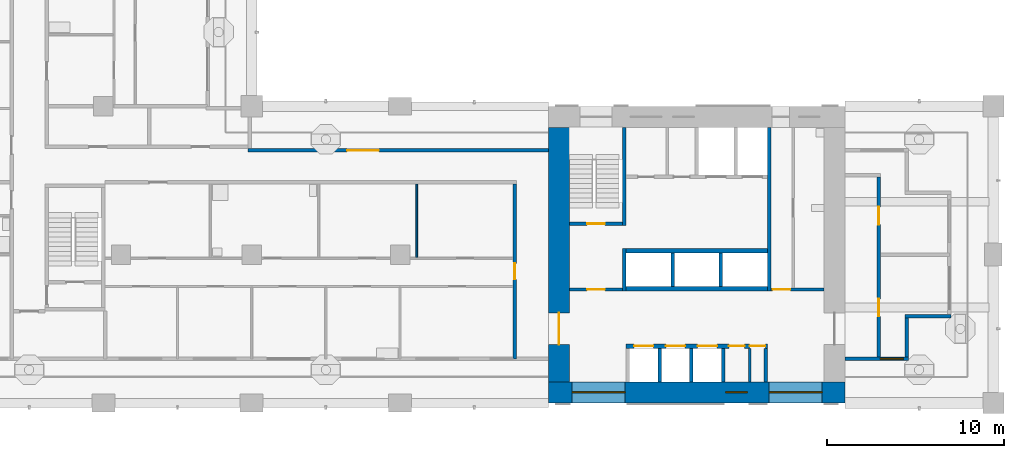
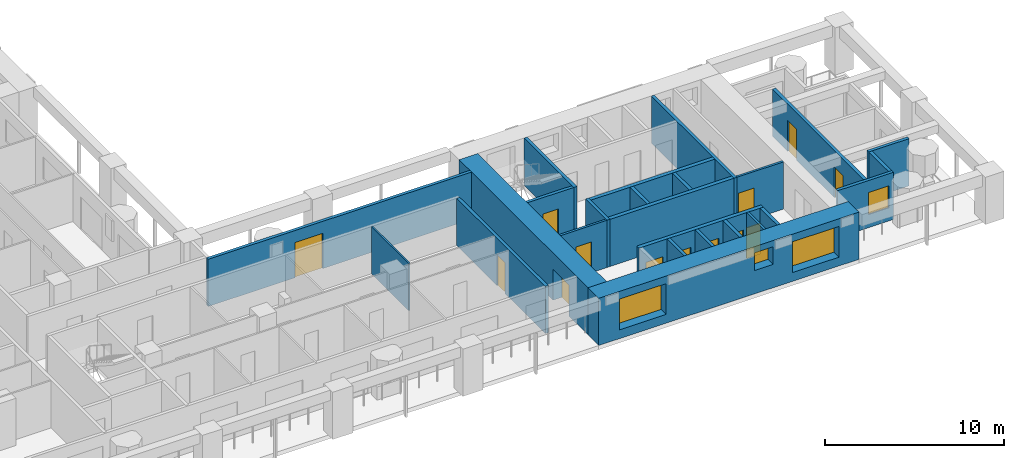
# One storey, part 5 of 18: 25 walls, 13 doors, 4 windows, 17 openings.
"""IFC4 building model written with IfcOpenShell, lengths in metres."""

from ifc_helpers import new_model, si_unit, direction, frame, frame_2d, origin, place, context, subcontext, project, spatial, rectangle, extrude, material, layer, layer_set, type_object, element, fill, save


model = new_model("IFC4")

# Units and contexts
model_context = context("Model", 3, precision=1e-05, world=origin(), true_north=direction((0.0, 1.0)))
body_context = subcontext(model_context, "Body", "Model", "MODEL_VIEW")
ifc_project = project(units=[si_unit("LENGTHUNIT", "METRE"), si_unit("AREAUNIT", "SQUARE_METRE"), si_unit("VOLUMEUNIT", "CUBIC_METRE"), si_unit("PLANEANGLEUNIT", "RADIAN"), si_unit("MASSUNIT", "GRAM", prefix="KILO")], contexts=[model_context])

# Site, building, storey
site_placement = place(None, origin())
site = spatial("IfcSite", under=ifc_project, at=site_placement, CompositionType="ELEMENT")
building_placement = place(site_placement, origin())
building = spatial("IfcBuilding", under=site, at=building_placement, Name="Vermilion Gate Residences", CompositionType="ELEMENT")
storey_placement = place(building_placement, frame((0.0, 0.0, 109.199951171875)))
storey = spatial("IfcBuildingStorey", under=building, at=storey_placement, Name="L27", CompositionType="ELEMENT", Elevation=109.199951171875)

# Wall
ifc_material_1 = material(Name="Masonry blockwork", Category="masonry")
ifc_layer_1 = layer(ifc_material_1, 0.14990234375)
ifc_layer_set_1 = layer_set([ifc_layer_1], Name="BLOCKWORK PARTITION 150 EI 120")
wall_type_1 = type_object("IfcWallType", Name="BLOCKWORK PARTITION 150 EI 120", PredefinedType="PARTITIONING", material=ifc_layer_set_1)
wall_1_placement = place(storey_placement, frame((53.407470703125, 9.60009765625, 0.0), z_axis=(0.0, 0.0, 1.0), x_axis=(0.0, 1.0, 0.0)))
element("IfcWall", 1, at=wall_1_placement, inside=storey, type_object=wall_type_1, Name="Core room partition A27-SR-P0", PredefinedType="PARTITIONING", context=body_context, shape_type="SweptSolid", body=[
    extrude(rectangle(XDim=1.89990234375, YDim=0.14990234375, at=frame_2d((0.949951171875, 0.0))), origin(), (0.0, 0.0, 1.0), 3.219970703125),
])

# Wall, opening, door
wall_2_placement = place(storey_placement, frame((43.199951171875, 14.824951171875, 0.0), z_axis=(0.0, 0.0, 1.0), x_axis=(1.0, 0.0, 0.0)))
wall_2 = element("IfcWall", 2, at=wall_2_placement, inside=storey, type_object=wall_type_1, Name="Core room partition A27-VW-S", PredefinedType="PARTITIONING", context=body_context, shape_type="SweptSolid", body=[
    extrude(rectangle(XDim=3.0, YDim=0.14990234375, at=frame_2d((1.5, 0.0))), origin(), (0.0, 0.0, 1.0), 3.219970703125),
])
opening_1_placement = place(wall_2_placement, frame((1.0, 0.0, 0.0)))
opening_1 = element("IfcOpeningElement", 3, at=opening_1_placement, cuts=wall_2, Name="Opening DK27012", PredefinedType="OPENING", context=body_context, shape_type="SweptSolid", body=[
    extrude(rectangle(XDim=1.0, YDim=2.10009765625, at=frame_2d((0.5, 1.050048828125))), frame((0.0, 0.0849609375, 0.0), z_axis=(0.0, -1.0, 0.0), x_axis=(1.0, 0.0, 0.0)), (0.0, 0.0, 1.0), 0.169921875),
])
ifc_material_2 = material(Name="Steel", Category="steel")
door_type_1 = type_object("IfcDoorType", Name="FIRE DOOR FD60 1000 X 2100", OperationType="SINGLE_SWING_LEFT", PredefinedType="DOOR", material=ifc_material_2)
door_1_placement = place(opening_1_placement, frame((1.0, 0.0, 0.0), z_axis=(0.0, 0.0, 1.0), x_axis=(-1.0, 0.0, 0.0)))
door_1 = element("IfcDoor", 4, at=door_1_placement, inside=storey, type_object=door_type_1, Name="Stair vestibule door A27", OperationType="SINGLE_SWING_RIGHT", OverallHeight=2.10009765625, OverallWidth=1.0, PredefinedType="DOOR", context=body_context, shape_type="SweptSolid", body=[
    extrude(rectangle(XDim=1.0, YDim=2.10009765625, at=frame_2d((0.5, 1.050048828125))), frame((0.0, 0.02490234375, 0.0), z_axis=(0.0, -1.0, 0.0), x_axis=(1.0, 0.0, 0.0)), (0.0, 0.0, 1.0), 0.050048828125),
])
fill(opening_1, door_1)

wall_3_placement = place(storey_placement, frame((54.60009765625, 14.824951171875, 0.0), z_axis=(0.0, 0.0, 1.0), x_axis=(1.0, 0.0, 0.0)))
wall_3 = element("IfcWall", 5, at=wall_3_placement, inside=storey, type_object=wall_type_1, Name="Core room partition A27-ES-S", PredefinedType="PARTITIONING", context=body_context, shape_type="SweptSolid", body=[
    extrude(rectangle(XDim=3.0, YDim=0.14990234375, at=frame_2d((1.5, 0.0))), origin(), (0.0, 0.0, 1.0), 3.219970703125),
])
opening_2_placement = place(wall_3_placement, frame((0.10009765625, 0.0, 0.0)))
opening_2 = element("IfcOpeningElement", 6, at=opening_2_placement, cuts=wall_3, Name="Opening DK27014", PredefinedType="OPENING", context=body_context, shape_type="SweptSolid", body=[
    extrude(rectangle(XDim=1.0, YDim=2.10009765625, at=frame_2d((0.5, 1.050048828125))), frame((0.0, 0.0849609375, 0.0), z_axis=(0.0, -1.0, 0.0), x_axis=(1.0, 0.0, 0.0)), (0.0, 0.0, 1.0), 0.169921875),
])
door_2_placement = place(opening_2_placement, frame((1.0, 0.0, 0.0), z_axis=(0.0, 0.0, 1.0), x_axis=(-1.0, 0.0, 0.0)))
door_2 = element("IfcDoor", 7, at=door_2_placement, inside=storey, type_object=door_type_1, Name="Service corridor door A27", OperationType="SINGLE_SWING_LEFT", OverallHeight=2.10009765625, OverallWidth=1.0, PredefinedType="DOOR", context=body_context, shape_type="SweptSolid", body=[
    extrude(rectangle(XDim=1.0, YDim=2.10009765625, at=frame_2d((0.5, 1.050048828125))), frame((0.0, 0.02490234375, 0.0), z_axis=(0.0, -1.0, 0.0), x_axis=(1.0, 0.0, 0.0)), (0.0, 0.0, 1.0), 0.050048828125),
])
fill(opening_2, door_2)

# Wall, opening, window
ifc_material_3 = material(Name="Insulated steel stud wall with terracotta rainscreen", Category="masonry")
ifc_layer_2 = layer(ifc_material_3, 0.199951171875)
ifc_layer_set_2 = layer_set([ifc_layer_2], Name="EXTERNAL WALL 200 TERRACOTTA RAINSCREEN")
wall_type_2 = type_object("IfcWallType", Name="EXTERNAL WALL 200 TERRACOTTA RAINSCREEN", PredefinedType="SOLIDWALL", material=ifc_layer_set_2)
wall_4_placement = place(storey_placement, frame((58.800048828125, 10.89990234375, 0.0), z_axis=(0.0, 0.0, 1.0), x_axis=(1.0, 0.0, 0.0)))
wall_4 = element("IfcWall", 8, at=wall_4_placement, inside=storey, type_object=wall_type_2, Name="External wall", PredefinedType="SOLIDWALL", context=body_context, shape_type="SweptSolid", body=[
    extrude(rectangle(XDim=3.599853515625, YDim=0.199951171875, at=frame_2d((1.7998046875, 0.0))), origin(), (0.0, 0.0, 1.0), 3.219970703125),
])
opening_3_placement = place(wall_4_placement, frame((2.0, 0.0, 0.89990234375)))
opening_3 = element("IfcOpeningElement", 9, at=opening_3_placement, cuts=wall_4, Name="Opening WE27020", PredefinedType="OPENING", context=body_context, shape_type="SweptSolid", body=[
    extrude(rectangle(XDim=1.300048828125, YDim=1.5, at=frame_2d((0.64990234375, 0.75))), frame((0.0, 0.10986328125, 0.0), z_axis=(0.0, -1.0, 0.0), x_axis=(1.0, 0.0, 0.0)), (0.0, 0.0, 1.0), 0.219970703125),
])
ifc_material_4 = material(Name="Aluminium and clear glass", Category="aluminium")
window_type_1 = type_object("IfcWindowType", Name="WINDOW 1300 X 1500", PartitioningType="SINGLE_PANEL", PredefinedType="WINDOW", material=ifc_material_4)
window_1_placement = place(opening_3_placement, origin())
window_1 = element("IfcWindow", 10, at=window_1_placement, inside=storey, type_object=window_type_1, Name="Window", OverallHeight=1.5, OverallWidth=1.300048828125, PartitioningType="SINGLE_PANEL", PredefinedType="WINDOW", context=body_context, shape_type="SweptSolid", body=[
    extrude(rectangle(XDim=1.300048828125, YDim=1.5, at=frame_2d((0.64990234375, 0.75))), frame((0.0, 0.030029296875, 0.0), z_axis=(0.0, -1.0, 0.0), x_axis=(1.0, 0.0, 0.0)), (0.0, 0.0, 1.0), 0.06005859375),
])
fill(opening_3, window_1)

# Walls
wall_5_placement = place(storey_placement, frame((62.300048828125, 11.0, 0.0), z_axis=(0.0, 0.0, 1.0), x_axis=(0.0, 1.0, 0.0)))
element("IfcWall", 11, at=wall_5_placement, inside=storey, type_object=wall_type_2, Name="External wall", PredefinedType="SOLIDWALL", context=body_context, shape_type="SweptSolid", body=[
    extrude(rectangle(XDim=2.199951171875, YDim=0.199951171875, at=frame_2d((1.10009765625, 0.0))), origin(), (0.0, 0.0, 1.0), 3.219970703125),
])
wall_6_placement = place(storey_placement, frame((62.199951171875, 13.300048828125, 0.0), z_axis=(0.0, 0.0, 1.0), x_axis=(1.0, 0.0, 0.0)))
element("IfcWall", 12, at=wall_6_placement, inside=storey, type_object=wall_type_2, Name="External wall", PredefinedType="SOLIDWALL", context=body_context, shape_type="SweptSolid", body=[
    extrude(rectangle(XDim=2.60009765625, YDim=0.199951171875, at=frame_2d((1.300048828125, 0.0))), origin(), (0.0, 0.0, 1.0), 3.219970703125),
])

# Wall, opening, door
wall_7_placement = place(storey_placement, frame((42.0, 22.699951171875, 0.0), z_axis=(0.0, 0.0, 1.0), x_axis=(-1.0, 0.0, 0.0)))
wall_7 = element("IfcWall", 13, at=wall_7_placement, inside=storey, type_object=wall_type_2, Name="External wall", PredefinedType="SOLIDWALL", context=body_context, shape_type="SweptSolid", body=[
    extrude(rectangle(XDim=17.0, YDim=0.199951171875, at=frame_2d((8.5, 0.0))), origin(), (0.0, 0.0, 1.0), 3.219970703125),
])
opening_4_placement = place(wall_7_placement, frame((9.60009765625, 0.0, 0.0)))
opening_4 = element("IfcOpeningElement", 14, at=opening_4_placement, cuts=wall_7, Name="Opening DE27029", PredefinedType="OPENING", context=body_context, shape_type="SweptSolid", body=[
    extrude(rectangle(XDim=1.800048828125, YDim=2.39990234375, at=frame_2d((0.89990234375, 1.199951171875))), frame((0.0, 0.10986328125, 0.0), z_axis=(0.0, -1.0, 0.0), x_axis=(1.0, 0.0, 0.0)), (0.0, 0.0, 1.0), 0.219970703125),
])
ifc_material_5 = material(Name="Aluminium and clear glass", Category="aluminium")
door_type_2 = type_object("IfcDoorType", Name="GLAZED EXTERNAL DOOR 1800 X 2400", OperationType="DOUBLE_DOOR_SINGLE_SWING", PredefinedType="DOOR", material=ifc_material_5)
door_3_placement = place(opening_4_placement, frame((1.800048828125, 0.0, 0.0), z_axis=(0.0, 0.0, 1.0), x_axis=(-1.0, 0.0, 0.0)))
door_3 = element("IfcDoor", 15, at=door_3_placement, inside=storey, type_object=door_type_2, Name="Gallery door", OperationType="DOUBLE_DOOR_SINGLE_SWING", OverallHeight=2.39990234375, OverallWidth=1.800048828125, PredefinedType="DOOR", context=body_context, shape_type="SweptSolid", body=[
    extrude(rectangle(XDim=1.800048828125, YDim=2.39990234375, at=frame_2d((0.89990234375, 1.199951171875))), frame((0.0, 0.02490234375, 0.0), z_axis=(0.0, -1.0, 0.0), x_axis=(1.0, 0.0, 0.0)), (0.0, 0.0, 1.0), 0.050048828125),
])
fill(opening_4, door_3)

# Wall
ifc_material_6 = material(Name="Plasterboard on steel studs", Category="steel")
ifc_layer_3 = layer(ifc_material_6, 0.10009765625)
ifc_layer_set_3 = layer_set([ifc_layer_3], Name="PARTITION 100")
wall_type_3 = type_object("IfcWallType", Name="PARTITION 100", PredefinedType="PARTITIONING", material=ifc_layer_set_3)
wall_8_placement = place(storey_placement, frame((34.550048828125, 16.64990234375, 0.0), z_axis=(0.0, 0.0, 1.0), x_axis=(0.0, 1.0, 0.0)))
element("IfcWall", 16, at=wall_8_placement, inside=storey, type_object=wall_type_3, Name="Partition", PredefinedType="PARTITIONING", context=body_context, shape_type="SweptSolid", body=[
    extrude(rectangle(XDim=4.150146484375, YDim=0.10009765625, at=frame_2d((2.0751953125, 0.0))), origin(), (0.0, 0.0, 1.0), 3.219970703125),
])

# Wall, opening, door
ifc_material_7 = material(Name="Fire-rated plasterboard on steel studs", Category="steel")
ifc_layer_4 = layer(ifc_material_7, 0.199951171875)
ifc_layer_set_4 = layer_set([ifc_layer_4], Name="PARTY WALL 200 EI 120")
wall_type_4 = type_object("IfcWallType", Name="PARTY WALL 200 EI 120", PredefinedType="PARTITIONING", material=ifc_layer_set_4)
wall_9_placement = place(storey_placement, frame((40.10009765625, 10.89990234375, 0.0), z_axis=(0.0, 0.0, 1.0), x_axis=(0.0, 1.0, 0.0)))
wall_9 = element("IfcWall", 17, at=wall_9_placement, inside=storey, type_object=wall_type_4, Name="Party and corridor wall", PredefinedType="PARTITIONING", context=body_context, shape_type="SweptSolid", body=[
    extrude(rectangle(XDim=9.900146484375, YDim=0.199951171875, at=frame_2d((4.9501953125, 0.0))), origin(), (0.0, 0.0, 1.0), 3.219970703125),
])
opening_5_placement = place(wall_9_placement, frame((4.5, 0.0, 0.0)))
opening_5 = element("IfcOpeningElement", 18, at=opening_5_placement, cuts=wall_9, Name="Opening DA25041", PredefinedType="OPENING", context=body_context, shape_type="SweptSolid", body=[
    extrude(rectangle(XDim=0.89990234375, YDim=2.10009765625, at=frame_2d((0.449951171875, 1.050048828125))), frame((0.0, 0.10986328125, 0.0), z_axis=(0.0, -1.0, 0.0), x_axis=(1.0, 0.0, 0.0)), (0.0, 0.0, 1.0), 0.219970703125),
])
ifc_material_8 = material(Name="Timber", Category="wood")
door_type_3 = type_object("IfcDoorType", Name="INTERIOR DOOR 900 X 2100", OperationType="SINGLE_SWING_LEFT", PredefinedType="DOOR", material=ifc_material_8)
door_4_placement = place(opening_5_placement, origin())
door_4 = element("IfcDoor", 19, at=door_4_placement, inside=storey, type_object=door_type_3, Name="Interior door", OperationType="SINGLE_SWING_RIGHT", OverallHeight=2.10009765625, OverallWidth=0.89990234375, PredefinedType="DOOR", context=body_context, shape_type="SweptSolid", body=[
    extrude(rectangle(XDim=0.89990234375, YDim=2.10009765625, at=frame_2d((0.449951171875, 1.050048828125))), frame((0.0, 0.02490234375, 0.0), z_axis=(0.0, -1.0, 0.0), x_axis=(1.0, 0.0, 0.0)), (0.0, 0.0, 1.0), 0.050048828125),
])
fill(opening_5, door_4)

# Wall, openings, doors
wall_10_placement = place(storey_placement, frame((60.699951171875, 10.89990234375, 0.0), z_axis=(0.0, 0.0, 1.0), x_axis=(0.0, 1.0, 0.0)))
wall_10 = element("IfcWall", 20, at=wall_10_placement, inside=storey, type_object=wall_type_4, Name="Party and corridor wall", PredefinedType="PARTITIONING", context=body_context, shape_type="SweptSolid", body=[
    extrude(rectangle(XDim=10.300048828125, YDim=0.199951171875, at=frame_2d((5.14990234375, 0.0))), origin(), (0.0, 0.0, 1.0), 3.219970703125),
])
opening_6_placement = place(wall_10_placement, frame((2.39990234375, 0.0, 0.0)))
opening_6 = element("IfcOpeningElement", 21, at=opening_6_placement, cuts=wall_10, Name="Opening DA25042", PredefinedType="OPENING", context=body_context, shape_type="SweptSolid", body=[
    extrude(rectangle(XDim=1.0, YDim=2.10009765625, at=frame_2d((0.5, 1.050048828125))), frame((0.0, 0.10986328125, 0.0), z_axis=(0.0, -1.0, 0.0), x_axis=(1.0, 0.0, 0.0)), (0.0, 0.0, 1.0), 0.219970703125),
])
opening_7_placement = place(wall_10_placement, frame((7.60009765625, 0.0, 0.0)))
opening_7 = element("IfcOpeningElement", 22, at=opening_7_placement, cuts=wall_10, Name="Opening DA25043", PredefinedType="OPENING", context=body_context, shape_type="SweptSolid", body=[
    extrude(rectangle(XDim=1.0, YDim=2.10009765625, at=frame_2d((0.5, 1.050048828125))), frame((0.0, 0.10986328125, 0.0), z_axis=(0.0, -1.0, 0.0), x_axis=(1.0, 0.0, 0.0)), (0.0, 0.0, 1.0), 0.219970703125),
])
ifc_material_9 = material(Name="Steel", Category="steel")
door_type_4 = type_object("IfcDoorType", Name="ENTRANCE DOOR 1000 X 2100 FD30", OperationType="SINGLE_SWING_LEFT", PredefinedType="DOOR", material=ifc_material_9)
door_5_placement = place(opening_6_placement, frame((1.0, 0.0, 0.0), z_axis=(0.0, 0.0, 1.0), x_axis=(-1.0, 0.0, 0.0)))
door_5 = element("IfcDoor", 23, at=door_5_placement, inside=storey, type_object=door_type_4, Name="Entrance door", OperationType="SINGLE_SWING_RIGHT", OverallHeight=2.10009765625, OverallWidth=1.0, PredefinedType="DOOR", context=body_context, shape_type="SweptSolid", body=[
    extrude(rectangle(XDim=1.0, YDim=2.10009765625, at=frame_2d((0.5, 1.050048828125))), frame((0.0, 0.02490234375, 0.0), z_axis=(0.0, -1.0, 0.0), x_axis=(1.0, 0.0, 0.0)), (0.0, 0.0, 1.0), 0.050048828125),
])
fill(opening_6, door_5)
door_6_placement = place(opening_7_placement, frame((1.0, 0.0, 0.0), z_axis=(0.0, 0.0, 1.0), x_axis=(-1.0, 0.0, 0.0)))
door_6 = element("IfcDoor", 24, at=door_6_placement, inside=storey, type_object=door_type_4, Name="Entrance door", OperationType="SINGLE_SWING_RIGHT", OverallHeight=2.10009765625, OverallWidth=1.0, PredefinedType="DOOR", context=body_context, shape_type="SweptSolid", body=[
    extrude(rectangle(XDim=1.0, YDim=2.10009765625, at=frame_2d((0.5, 1.050048828125))), frame((0.0, 0.02490234375, 0.0), z_axis=(0.0, -1.0, 0.0), x_axis=(1.0, 0.0, 0.0)), (0.0, 0.0, 1.0), 0.050048828125),
])
fill(opening_7, door_6)

# Walls
ifc_material_10 = material(Name="Concrete C60", Category="concrete")
ifc_layer_5 = layer(ifc_material_10, 0.199951171875)
ifc_layer_set_5 = layer_set([ifc_layer_5], Name="RC CORE INTERNAL WALL 200 C60")
wall_type_5 = type_object("IfcWallType", Name="RC CORE INTERNAL WALL 200 C60", PredefinedType="SHEAR", material=ifc_layer_set_5)
for number, where, z_axis, x_axis, name in (
    (25, (48.300048828125, 9.60009765625, 0.0), (0.0, 0.0, 1.0), (0.0, 1.0, 0.0), "Core internal wall A27-LR-D1"),
    (26, (50.10009765625, 9.60009765625, 0.0), (0.0, 0.0, 1.0), (0.0, 1.0, 0.0), "Core internal wall A27-LR-D2"),
    (27, (51.89990234375, 9.60009765625, 0.0), (0.0, 0.0, 1.0), (0.0, 1.0, 0.0), "Core internal wall A27-LR-D3"),
    (28, (54.300048828125, 9.60009765625, 0.0), (0.0, 0.0, 1.0), (0.0, 1.0, 0.0), "Core internal wall A27-LR-DE"),
    (29, (49.033447265625, 15.0, 0.0), (0.0, 0.0, 1.0), (0.0, 1.0, 0.0), "Core internal wall A27-HR-D1"),
    (30, (51.7666015625, 15.0, 0.0), (0.0, 0.0, 1.0), (0.0, 1.0, 0.0), "Core internal wall A27-HR-D2"),
):
    element("IfcWall", number, at=place(storey_placement, frame(where, z_axis=z_axis, x_axis=x_axis)), inside=storey, type_object=wall_type_5, Name=name, PredefinedType="SHEAR", context=body_context, shape_type="SweptSolid", body=[
        extrude(rectangle(XDim=1.89990234375, YDim=0.199951171875, at=frame_2d((0.949951171875, 0.0))), origin(), (0.0, 0.0, 1.0), 3.219970703125),
    ])
wall_11_placement = place(storey_placement, frame((46.300048828125, 14.75, 0.0), z_axis=(0.0, 0.0, 1.0), x_axis=(0.0, 1.0, 0.0)))
element("IfcWall", 31, at=wall_11_placement, inside=storey, type_object=wall_type_5, Name="Core internal wall A27-WDIV1", PredefinedType="SHEAR", context=body_context, shape_type="SweptSolid", body=[
    extrude(rectangle(XDim=2.39990234375, YDim=0.199951171875, at=frame_2d((1.199951171875, 0.0))), origin(), (0.0, 0.0, 1.0), 3.219970703125),
])
wall_12_placement = place(storey_placement, frame((46.300048828125, 18.449951171875, 0.0), z_axis=(0.0, 0.0, 1.0), x_axis=(0.0, 1.0, 0.0)))
element("IfcWall", 32, at=wall_12_placement, inside=storey, type_object=wall_type_5, Name="Core internal wall A27-WDIV2", PredefinedType="SHEAR", context=body_context, shape_type="SweptSolid", body=[
    extrude(rectangle(XDim=5.550048828125, YDim=0.199951171875, at=frame_2d((2.77490234375, 0.0))), origin(), (0.0, 0.0, 1.0), 3.219970703125),
])

# Wall, opening, door
wall_13_placement = place(storey_placement, frame((43.199951171875, 18.550048828125, 0.0), z_axis=(0.0, 0.0, 1.0), x_axis=(1.0, 0.0, 0.0)))
wall_13 = element("IfcWall", 33, at=wall_13_placement, inside=storey, type_object=wall_type_5, Name="Core internal wall A27-STW-S", PredefinedType="SHEAR", context=body_context, shape_type="SweptSolid", body=[
    extrude(rectangle(XDim=3.0, YDim=0.199951171875, at=frame_2d((1.5, 0.0))), origin(), (0.0, 0.0, 1.0), 3.219970703125),
])
opening_8_placement = place(wall_13_placement, frame((1.0, 0.0, 0.0)))
opening_8 = element("IfcOpeningElement", 34, at=opening_8_placement, cuts=wall_13, Name="Opening DK27013", PredefinedType="OPENING", context=body_context, shape_type="SweptSolid", body=[
    extrude(rectangle(XDim=1.0, YDim=2.10009765625, at=frame_2d((0.5, 1.050048828125))), frame((0.0, 0.10986328125, 0.0), z_axis=(0.0, -1.0, 0.0), x_axis=(1.0, 0.0, 0.0)), (0.0, 0.0, 1.0), 0.219970703125),
])
door_7_placement = place(opening_8_placement, origin())
door_7 = element("IfcDoor", 35, at=door_7_placement, inside=storey, type_object=door_type_1, Name="Stair door A27", OperationType="SINGLE_SWING_LEFT", OverallHeight=2.10009765625, OverallWidth=1.0, PredefinedType="DOOR", context=body_context, shape_type="SweptSolid", body=[
    extrude(rectangle(XDim=1.0, YDim=2.10009765625, at=frame_2d((0.5, 1.050048828125))), frame((0.0, 0.02490234375, 0.0), z_axis=(0.0, -1.0, 0.0), x_axis=(1.0, 0.0, 0.0)), (0.0, 0.0, 1.0), 0.050048828125),
])
fill(opening_8, door_7)

# Wall
wall_14_placement = place(storey_placement, frame((54.5, 14.75, 0.0), z_axis=(0.0, 0.0, 1.0), x_axis=(0.0, 1.0, 0.0)))
element("IfcWall", 36, at=wall_14_placement, inside=storey, type_object=wall_type_5, Name="Core internal wall A27-EDIV", PredefinedType="SHEAR", context=body_context, shape_type="SweptSolid", body=[
    extrude(rectangle(XDim=9.25, YDim=0.199951171875, at=frame_2d((4.625, 0.0))), origin(), (0.0, 0.0, 1.0), 3.219970703125),
])

# Wall, opening, door
ifc_material_11 = material(Name="Concrete C70", Category="concrete")
ifc_layer_6 = layer(ifc_material_11, 1.199951171875)
ifc_layer_set_6 = layer_set([ifc_layer_6], Name="RC CORE WALL 1200 C70")
wall_type_6 = type_object("IfcWallType", Name="RC CORE WALL 1200 C70", PredefinedType="SHEAR", material=ifc_layer_set_6)
wall_15_placement = place(storey_placement, frame((42.60009765625, 9.60009765625, 0.0), z_axis=(0.0, 0.0, 1.0), x_axis=(0.0, 1.0, 0.0)))
wall_15 = element("IfcWall", 37, at=wall_15_placement, inside=storey, type_object=wall_type_6, Name="Core wall A27-OUT-FR", PredefinedType="SHEAR", context=body_context, shape_type="SweptSolid", body=[
    extrude(rectangle(XDim=14.39990234375, YDim=1.199951171875, at=frame_2d((7.199951171875, 0.0))), origin(), (0.0, 0.0, 1.0), 3.219970703125),
])
opening_9_placement = place(wall_15_placement, frame((2.10009765625, 0.0, 0.0)))
opening_9 = element("IfcOpeningElement", 38, at=opening_9_placement, cuts=wall_15, Name="Opening DK27001", PredefinedType="OPENING", context=body_context, shape_type="SweptSolid", body=[
    extrude(rectangle(XDim=1.800048828125, YDim=2.10009765625, at=frame_2d((0.89990234375, 1.050048828125))), frame((0.0, 0.60986328125, 0.0), z_axis=(0.0, -1.0, 0.0), x_axis=(1.0, 0.0, 0.0)), (0.0, 0.0, 1.0), 1.219970703125),
])
ifc_material_12 = material(Name="Steel", Category="steel")
door_type_5 = type_object("IfcDoorType", Name="CORE LOBBY DOOR FD60 1800 X 2100", OperationType="DOUBLE_DOOR_SINGLE_SWING", PredefinedType="DOOR", material=ifc_material_12)
door_8_placement = place(opening_9_placement, frame((1.800048828125, 0.0, 0.0), z_axis=(0.0, 0.0, 1.0), x_axis=(-1.0, 0.0, 0.0)))
door_8 = element("IfcDoor", 39, at=door_8_placement, inside=storey, type_object=door_type_5, Name="Core lobby door A27", OperationType="DOUBLE_DOOR_SINGLE_SWING", OverallHeight=2.10009765625, OverallWidth=1.800048828125, PredefinedType="DOOR", context=body_context, shape_type="SweptSolid", body=[
    extrude(rectangle(XDim=1.800048828125, YDim=2.10009765625, at=frame_2d((0.89990234375, 1.050048828125))), frame((0.0, 0.02490234375, 0.0), z_axis=(0.0, -1.0, 0.0), x_axis=(1.0, 0.0, 0.0)), (0.0, 0.0, 1.0), 0.050048828125),
])
fill(opening_9, door_8)

# Wall, openings, windows
ifc_material_13 = material(Name="Concrete C70 red-oxide pigmented", Category="concrete")
ifc_layer_7 = layer(ifc_material_13, 1.199951171875)
ifc_layer_set_7 = layer_set([ifc_layer_7], Name="RC CORE WALL 1200 C70 RED OXIDE")
wall_type_7 = type_object("IfcWallType", Name="RC CORE WALL 1200 C70 RED OXIDE", PredefinedType="SHEAR", material=ifc_layer_set_7)
wall_16_placement = place(storey_placement, frame((42.0, 9.0, 0.0), z_axis=(0.0, 0.0, 1.0), x_axis=(1.0, 0.0, 0.0)))
wall_16 = element("IfcWall", 40, at=wall_16_placement, inside=storey, type_object=wall_type_7, Name="Core wall A27-OUT-B0", PredefinedType="SHEAR", context=body_context, shape_type="SweptSolid", body=[
    extrude(rectangle(XDim=16.800048828125, YDim=1.199951171875, at=frame_2d((8.39990234375, 0.0))), origin(), (0.0, 0.0, 1.0), 3.219970703125),
])
opening_10_placement = place(wall_16_placement, frame((1.35009765625, 0.0, 0.60009765625)))
opening_10 = element("IfcOpeningElement", 41, at=opening_10_placement, cuts=wall_16, Name="Opening WKA2701", PredefinedType="OPENING", context=body_context, shape_type="SweptSolid", body=[
    extrude(rectangle(XDim=3.0, YDim=2.10009765625, at=frame_2d((1.5, 1.050048828125))), frame((0.0, 0.60986328125, 0.0), z_axis=(0.0, -1.0, 0.0), x_axis=(1.0, 0.0, 0.0)), (0.0, 0.0, 1.0), 1.219970703125),
])
opening_11_placement = place(wall_16_placement, frame((10.050048828125, 0.0, 1.60009765625)))
opening_11 = element("IfcOpeningElement", 42, at=opening_11_placement, cuts=wall_16, Name="Opening WKA2702", PredefinedType="OPENING", context=body_context, shape_type="SweptSolid", body=[
    extrude(rectangle(XDim=1.199951171875, YDim=1.199951171875, at=frame_2d((0.60009765625, 0.60009765625))), frame((0.0, 0.60986328125, 0.0), z_axis=(0.0, -1.0, 0.0), x_axis=(1.0, 0.0, 0.0)), (0.0, 0.0, 1.0), 1.219970703125),
])
opening_12_placement = place(wall_16_placement, frame((12.5, 0.0, 0.60009765625)))
opening_12 = element("IfcOpeningElement", 43, at=opening_12_placement, cuts=wall_16, Name="Opening WKA2703", PredefinedType="OPENING", context=body_context, shape_type="SweptSolid", body=[
    extrude(rectangle(XDim=3.0, YDim=2.10009765625, at=frame_2d((1.5, 1.050048828125))), frame((0.0, 0.60986328125, 0.0), z_axis=(0.0, -1.0, 0.0), x_axis=(1.0, 0.0, 0.0)), (0.0, 0.0, 1.0), 1.219970703125),
])
ifc_material_14 = material(Name="Aluminium and clear glass", Category="aluminium")
window_type_2 = type_object("IfcWindowType", Name="CORE LOBBY WINDOW 3000 X 2100", PartitioningType="SINGLE_PANEL", PredefinedType="WINDOW", material=ifc_material_14)
window_2_placement = place(opening_10_placement, origin())
window_2 = element("IfcWindow", 44, at=window_2_placement, inside=storey, type_object=window_type_2, Name="Core lobby window", OverallHeight=2.10009765625, OverallWidth=3.0, PartitioningType="SINGLE_PANEL", PredefinedType="WINDOW", context=body_context, shape_type="SweptSolid", body=[
    extrude(rectangle(XDim=3.0, YDim=2.10009765625, at=frame_2d((1.5, 1.050048828125))), frame((0.0, 0.030029296875, 0.0), z_axis=(0.0, -1.0, 0.0), x_axis=(1.0, 0.0, 0.0)), (0.0, 0.0, 1.0), 0.06005859375),
])
fill(opening_10, window_2)
window_3_placement = place(opening_12_placement, origin())
window_3 = element("IfcWindow", 45, at=window_3_placement, inside=storey, type_object=window_type_2, Name="Core lobby window", OverallHeight=2.10009765625, OverallWidth=3.0, PartitioningType="SINGLE_PANEL", PredefinedType="WINDOW", context=body_context, shape_type="SweptSolid", body=[
    extrude(rectangle(XDim=3.0, YDim=2.10009765625, at=frame_2d((1.5, 1.050048828125))), frame((0.0, 0.030029296875, 0.0), z_axis=(0.0, -1.0, 0.0), x_axis=(1.0, 0.0, 0.0)), (0.0, 0.0, 1.0), 0.06005859375),
])
fill(opening_12, window_3)
ifc_material_15 = material(Name="Aluminium frame with louvre blades", Category="aluminium")
window_type_3 = type_object("IfcWindowType", Name="CORE LOUVRE 1200 X 1200", PartitioningType="SINGLE_PANEL", PredefinedType="WINDOW", material=ifc_material_15)
window_4_placement = place(opening_11_placement, origin())
window_4 = element("IfcWindow", 46, at=window_4_placement, inside=storey, type_object=window_type_3, Name="Core louvre", OverallHeight=1.199951171875, OverallWidth=1.199951171875, PartitioningType="SINGLE_PANEL", PredefinedType="WINDOW", context=body_context, shape_type="SweptSolid", body=[
    extrude(rectangle(XDim=1.199951171875, YDim=1.199951171875, at=frame_2d((0.60009765625, 0.60009765625))), frame((0.0, 0.030029296875, 0.0), z_axis=(0.0, -1.0, 0.0), x_axis=(1.0, 0.0, 0.0)), (0.0, 0.0, 1.0), 0.06005859375),
])
fill(opening_11, window_4)

# Wall, openings, doors
ifc_material_16 = material(Name="Concrete C60", Category="concrete")
ifc_layer_8 = layer(ifc_material_16, 0.25)
ifc_layer_set_8 = layer_set([ifc_layer_8], Name="RC LIFT SHAFT WALL 250 C60")
wall_type_8 = type_object("IfcWallType", Name="RC LIFT SHAFT WALL 250 C60", PredefinedType="SHEAR", material=ifc_layer_set_8)
wall_17_placement = place(storey_placement, frame((46.39990234375, 11.625, 0.0), z_axis=(0.0, 0.0, 1.0), x_axis=(1.0, 0.0, 0.0)))
wall_17 = element("IfcWall", 47, at=wall_17_placement, inside=storey, type_object=wall_type_8, Name="Lift shaft wall A27-LR-F", PredefinedType="SHEAR", context=body_context, shape_type="SweptSolid", body=[
    extrude(rectangle(XDim=8.0, YDim=0.25, at=frame_2d((4.0, 0.0))), origin(), (0.0, 0.0, 1.0), 3.219970703125),
])
opening_13_placement = place(wall_17_placement, frame((0.449951171875, 0.0, 0.0)))
opening_13 = element("IfcOpeningElement", 48, at=opening_13_placement, cuts=wall_17, Name="Opening LD", PredefinedType="OPENING", context=body_context, shape_type="SweptSolid", body=[
    extrude(rectangle(XDim=1.10009765625, YDim=2.10009765625, at=frame_2d((0.550048828125, 1.050048828125))), frame((0.0, 0.135009765625, 0.0), z_axis=(0.0, -1.0, 0.0), x_axis=(1.0, 0.0, 0.0)), (0.0, 0.0, 1.0), 0.27001953125),
])
opening_14_placement = place(wall_17_placement, frame((2.25, 0.0, 0.0)))
opening_14 = element("IfcOpeningElement", 49, at=opening_14_placement, cuts=wall_17, Name="Opening LD", PredefinedType="OPENING", context=body_context, shape_type="SweptSolid", body=[
    extrude(rectangle(XDim=1.10009765625, YDim=2.10009765625, at=frame_2d((0.550048828125, 1.050048828125))), frame((0.0, 0.135009765625, 0.0), z_axis=(0.0, -1.0, 0.0), x_axis=(1.0, 0.0, 0.0)), (0.0, 0.0, 1.0), 0.27001953125),
])
opening_15_placement = place(wall_17_placement, frame((4.050048828125, 0.0, 0.0)))
opening_15 = element("IfcOpeningElement", 50, at=opening_15_placement, cuts=wall_17, Name="Opening LD", PredefinedType="OPENING", context=body_context, shape_type="SweptSolid", body=[
    extrude(rectangle(XDim=1.10009765625, YDim=2.10009765625, at=frame_2d((0.550048828125, 1.050048828125))), frame((0.0, 0.135009765625, 0.0), z_axis=(0.0, -1.0, 0.0), x_axis=(1.0, 0.0, 0.0)), (0.0, 0.0, 1.0), 0.27001953125),
])
opening_16_placement = place(wall_17_placement, frame((5.816162109375, 0.0, 0.0)))
opening_16 = element("IfcOpeningElement", 51, at=opening_16_placement, cuts=wall_17, Name="Opening DK27006", PredefinedType="OPENING", context=body_context, shape_type="SweptSolid", body=[
    extrude(rectangle(XDim=0.89990234375, YDim=2.10009765625, at=frame_2d((0.449951171875, 1.050048828125))), frame((0.0, 0.135009765625, 0.0), z_axis=(0.0, -1.0, 0.0), x_axis=(1.0, 0.0, 0.0)), (0.0, 0.0, 1.0), 0.27001953125),
])
opening_17_placement = place(wall_17_placement, frame((6.9912109375, 0.0, 0.0)))
opening_17 = element("IfcOpeningElement", 52, at=opening_17_placement, cuts=wall_17, Name="Opening DK27007", PredefinedType="OPENING", context=body_context, shape_type="SweptSolid", body=[
    extrude(rectangle(XDim=0.89990234375, YDim=2.10009765625, at=frame_2d((0.449951171875, 1.050048828125))), frame((0.0, 0.135009765625, 0.0), z_axis=(0.0, -1.0, 0.0), x_axis=(1.0, 0.0, 0.0)), (0.0, 0.0, 1.0), 0.27001953125),
])
ifc_material_17 = material(Name="Stainless steel", Category="steel")
door_type_6 = type_object("IfcDoorType", Name="LIFT LANDING DOOR E60 1100 X 2100", OperationType="DOUBLE_DOOR_SLIDING", PredefinedType="DOOR", material=ifc_material_17)
door_9_placement = place(opening_13_placement, origin())
door_9 = element("IfcDoor", 53, at=door_9_placement, inside=storey, type_object=door_type_6, Name="Lift landing door LRA1", OperationType="DOUBLE_DOOR_SLIDING", OverallHeight=2.10009765625, OverallWidth=1.10009765625, PredefinedType="DOOR", context=body_context, shape_type="SweptSolid", body=[
    extrude(rectangle(XDim=1.10009765625, YDim=2.10009765625, at=frame_2d((0.550048828125, 1.050048828125))), frame((0.0, 0.02490234375, 0.0), z_axis=(0.0, -1.0, 0.0), x_axis=(1.0, 0.0, 0.0)), (0.0, 0.0, 1.0), 0.050048828125),
])
fill(opening_13, door_9)
door_10_placement = place(opening_14_placement, origin())
door_10 = element("IfcDoor", 54, at=door_10_placement, inside=storey, type_object=door_type_6, Name="Lift landing door LRA2", OperationType="DOUBLE_DOOR_SLIDING", OverallHeight=2.10009765625, OverallWidth=1.10009765625, PredefinedType="DOOR", context=body_context, shape_type="SweptSolid", body=[
    extrude(rectangle(XDim=1.10009765625, YDim=2.10009765625, at=frame_2d((0.550048828125, 1.050048828125))), frame((0.0, 0.02490234375, 0.0), z_axis=(0.0, -1.0, 0.0), x_axis=(1.0, 0.0, 0.0)), (0.0, 0.0, 1.0), 0.050048828125),
])
fill(opening_14, door_10)
door_11_placement = place(opening_15_placement, origin())
door_11 = element("IfcDoor", 55, at=door_11_placement, inside=storey, type_object=door_type_6, Name="Lift landing door LRA3", OperationType="DOUBLE_DOOR_SLIDING", OverallHeight=2.10009765625, OverallWidth=1.10009765625, PredefinedType="DOOR", context=body_context, shape_type="SweptSolid", body=[
    extrude(rectangle(XDim=1.10009765625, YDim=2.10009765625, at=frame_2d((0.550048828125, 1.050048828125))), frame((0.0, 0.02490234375, 0.0), z_axis=(0.0, -1.0, 0.0), x_axis=(1.0, 0.0, 0.0)), (0.0, 0.0, 1.0), 0.050048828125),
])
fill(opening_15, door_11)
ifc_material_18 = material(Name="Steel", Category="steel")
door_type_7 = type_object("IfcDoorType", Name="SERVICE ROOM DOOR FD60 900 X 2100", OperationType="SINGLE_SWING_LEFT", PredefinedType="DOOR", material=ifc_material_18)
door_12_placement = place(opening_16_placement, frame((0.89990234375, 0.0, 0.0), z_axis=(0.0, 0.0, 1.0), x_axis=(-1.0, 0.0, 0.0)))
door_12 = element("IfcDoor", 56, at=door_12_placement, inside=storey, type_object=door_type_7, Name="Housekeeping store A27", OperationType="SINGLE_SWING_LEFT", OverallHeight=2.10009765625, OverallWidth=0.89990234375, PredefinedType="DOOR", context=body_context, shape_type="SweptSolid", body=[
    extrude(rectangle(XDim=0.89990234375, YDim=2.10009765625, at=frame_2d((0.449951171875, 1.050048828125))), frame((0.0, 0.02490234375, 0.0), z_axis=(0.0, -1.0, 0.0), x_axis=(1.0, 0.0, 0.0)), (0.0, 0.0, 1.0), 0.050048828125),
])
fill(opening_16, door_12)
door_13_placement = place(opening_17_placement, origin())
door_13 = element("IfcDoor", 57, at=door_13_placement, inside=storey, type_object=door_type_7, Name="Fire equipment store A27", OperationType="SINGLE_SWING_LEFT", OverallHeight=2.10009765625, OverallWidth=0.89990234375, PredefinedType="DOOR", context=body_context, shape_type="SweptSolid", body=[
    extrude(rectangle(XDim=0.89990234375, YDim=2.10009765625, at=frame_2d((0.449951171875, 1.050048828125))), frame((0.0, 0.02490234375, 0.0), z_axis=(0.0, -1.0, 0.0), x_axis=(1.0, 0.0, 0.0)), (0.0, 0.0, 1.0), 0.050048828125),
])
fill(opening_17, door_13)

# Walls
for number, where, z_axis, x_axis, name in (
    (58, (46.39990234375, 14.875, 0.0), (0.0, 0.0, 1.0), (1.0, 0.0, 0.0), "Lift shaft wall A27-HR-F"),
    (59, (46.39990234375, 17.02490234375, 0.0), (0.0, 0.0, 1.0), (1.0, 0.0, 0.0), "Lift shaft wall A27-HR-B"),
):
    element("IfcWall", number, at=place(storey_placement, frame(where, z_axis=z_axis, x_axis=x_axis)), inside=storey, type_object=wall_type_8, Name=name, PredefinedType="SHEAR", context=body_context, shape_type="SweptSolid", body=[
        extrude(rectangle(XDim=8.0, YDim=0.25, at=frame_2d((4.0, 0.0))), origin(), (0.0, 0.0, 1.0), 3.219970703125),
    ])

save(model, "model.ifc")
